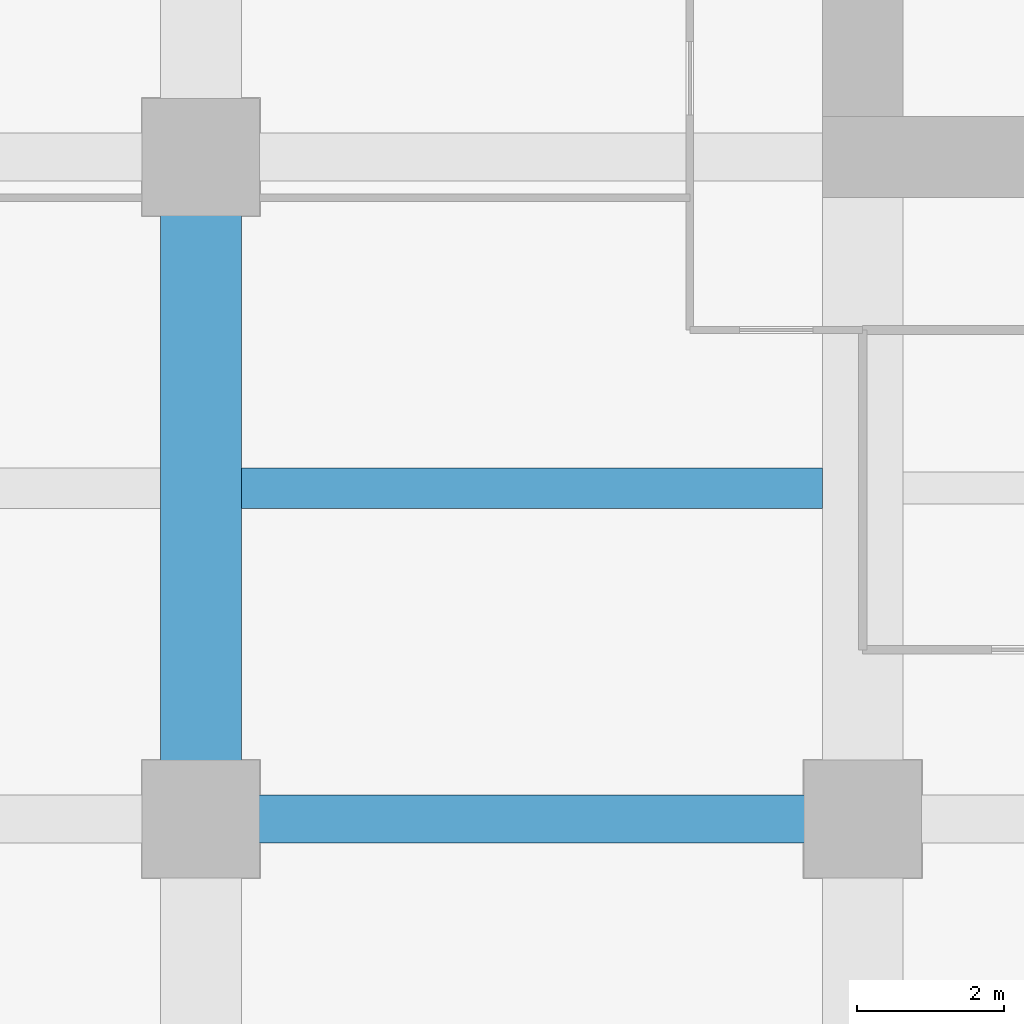
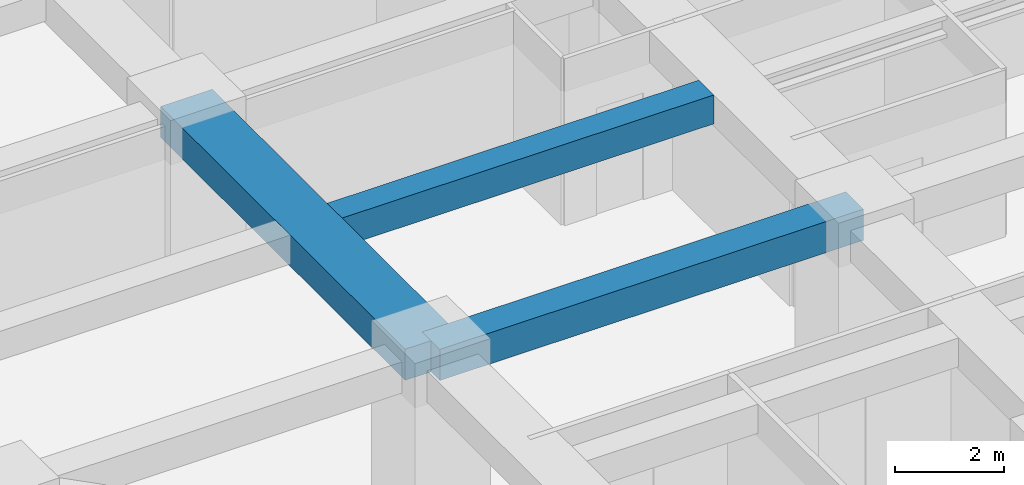
# One storey, part 5 of 32: 3 beams.
"""IFC4 building model written with IfcOpenShell, lengths in metres."""

from ifc_helpers import new_model, si_unit, direction, frame, origin, origin_2d, place, context, subcontext, project, spatial, rectangle, extrude, material, material_profile, profile_set, type_object, element, save


model = new_model("IFC4")

# Units and contexts
model_context = context("Model", 3, precision=1e-05, world=origin(), true_north=direction((0.0, 1.0)))
body_context = subcontext(model_context, "Body", "Model", "MODEL_VIEW")
ifc_project = project(units=[si_unit("LENGTHUNIT", "METRE"), si_unit("AREAUNIT", "SQUARE_METRE"), si_unit("VOLUMEUNIT", "CUBIC_METRE"), si_unit("PLANEANGLEUNIT", "RADIAN"), si_unit("MASSUNIT", "GRAM", prefix="KILO")], contexts=[model_context])

# Site, building, storey
site_placement = place(None, origin())
site = spatial("IfcSite", under=ifc_project, at=site_placement, CompositionType="ELEMENT")
building_placement = place(site_placement, origin())
building = spatial("IfcBuilding", under=site, at=building_placement, Name="Zorevar Civic Tower", CompositionType="ELEMENT")
storey_placement = place(building_placement, frame((0.0, 0.0, 182.199951171875)))
storey = spatial("IfcBuildingStorey", under=building, at=storey_placement, Name="L44", CompositionType="ELEMENT", Elevation=182.199951171875)

# Beams
ifc_material_1 = material(Name="Concrete C50/60", Category="concrete")
ifc_material_profile_1 = material_profile(ifc_material_1, rectangle(XDim=1.10009765625, YDim=0.699951171875, at=origin_2d()), Name="RC 1100x700")
ifc_profile_set_1 = profile_set([ifc_material_profile_1], Name="Concrete C50/60")
beam_type_1 = type_object("IfcBeamType", Name="Beam RC 1100x700", PredefinedType="BEAM", material=ifc_profile_set_1)
beam_1_placement = place(storey_placement, frame((9.0, 9.0, 3.400146484375), z_axis=(0.0, 1.0, 0.0), x_axis=(-1.0, 0.0, 0.0)))
element("IfcBeam", 1, at=beam_1_placement, inside=storey, type_object=beam_type_1, Name="Girder L45", PredefinedType="BEAM", context=body_context, shape_type="SweptSolid", body=[
    extrude(rectangle(XDim=1.10009765625, YDim=0.699951171875, at=origin_2d()), origin(), (0.0, 0.0, 1.0), 9.0),
])
ifc_material_2 = material(Name="Concrete C50/60", Category="concrete")
ifc_material_profile_2 = material_profile(ifc_material_2, rectangle(XDim=0.550048828125, YDim=0.64990234375, at=origin_2d()), Name="RC 550x650")
ifc_profile_set_2 = profile_set([ifc_material_profile_2], Name="Concrete C50/60")
beam_type_2 = type_object("IfcBeamType", Name="Beam RC 550x650", PredefinedType="BEAM", material=ifc_profile_set_2)
beam_2_placement = place(storey_placement, frame((9.550048828125, 13.5, 3.425048828125), z_axis=(1.0, 0.0, 0.0), x_axis=(0.0, 1.0, 0.0)))
element("IfcBeam", 2, at=beam_2_placement, inside=storey, type_object=beam_type_2, Name="Secondary beam L45", PredefinedType="BEAM", context=body_context, shape_type="SweptSolid", body=[
    extrude(rectangle(XDim=0.550048828125, YDim=0.64990234375, at=origin_2d()), origin(), (0.0, 0.0, 1.0), 7.89990234375),
])
ifc_material_3 = material(Name="Concrete C50/60", Category="concrete")
ifc_material_profile_3 = material_profile(ifc_material_3, rectangle(XDim=0.64990234375, YDim=0.699951171875, at=origin_2d()), Name="RC 650x700")
ifc_profile_set_3 = profile_set([ifc_material_profile_3], Name="Concrete C50/60")
beam_type_3 = type_object("IfcBeamType", Name="Beam RC 650x700", PredefinedType="BEAM", material=ifc_profile_set_3)
beam_3_placement = place(storey_placement, frame((9.0, 9.0, 3.400146484375), z_axis=(1.0, 0.0, 0.0), x_axis=(0.0, 1.0, 0.0)))
element("IfcBeam", 3, at=beam_3_placement, inside=storey, type_object=beam_type_3, Name="Girder L45", PredefinedType="BEAM", context=body_context, shape_type="SweptSolid", body=[
    extrude(rectangle(XDim=0.64990234375, YDim=0.699951171875, at=origin_2d()), origin(), (0.0, 0.0, 1.0), 9.0),
])

save(model, "model.ifc")
